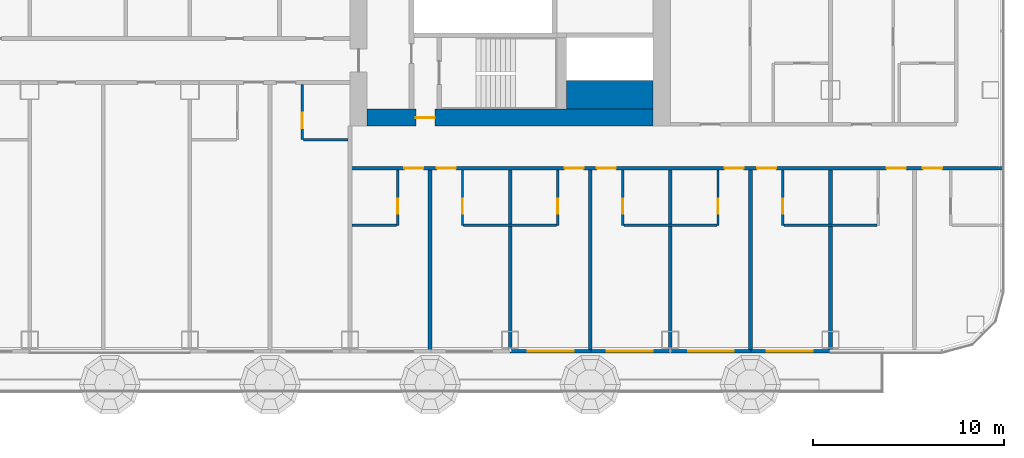
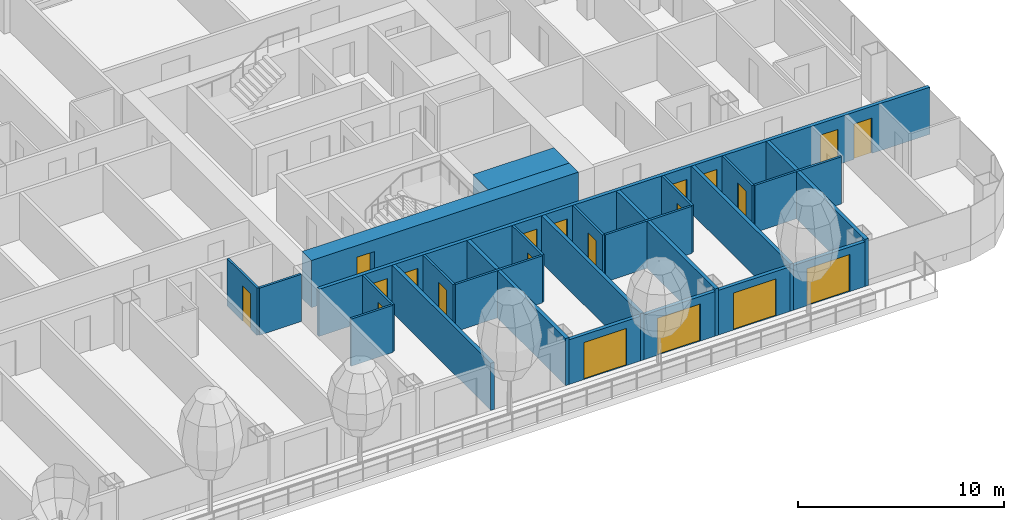
# One storey, part 19 of 37: 25 walls, 20 doors, 20 openings, 1 element without a shape of its own.
"""IFC4 building model written with IfcOpenShell, lengths in metres."""

from ifc_helpers import new_model, si_unit, direction, frame, frame_2d, origin, place, context, subcontext, project, spatial, rectangle, extrude, material, layer, layer_set, type_object, element, fill, aggregate, save


model = new_model("IFC4")

# Units and contexts
model_context = context("Model", 3, precision=1e-05, world=origin(), true_north=direction((0.0, 1.0)))
body_context = subcontext(model_context, "Body", "Model", "MODEL_VIEW")
ifc_project = project(units=[si_unit("LENGTHUNIT", "METRE"), si_unit("AREAUNIT", "SQUARE_METRE"), si_unit("VOLUMEUNIT", "CUBIC_METRE"), si_unit("PLANEANGLEUNIT", "RADIAN"), si_unit("MASSUNIT", "GRAM", prefix="KILO")], contexts=[model_context])

# Site, building, storey
site_placement = place(None, origin())
site = spatial("IfcSite", under=ifc_project, at=site_placement, CompositionType="ELEMENT")
building_placement = place(site_placement, origin())
building = spatial("IfcBuilding", under=site, at=building_placement, Name="Hakoniwa Tower and Hamabe Station Hall", CompositionType="ELEMENT")
storey_placement = place(building_placement, frame((0.0, 0.0, 39.0)))
storey = spatial("IfcBuildingStorey", under=building, at=storey_placement, Name="L10", CompositionType="ELEMENT", Elevation=39.0)

# Walls
ifc_material_1 = material(Name="Gypsum board partition", Category="gypsum")
ifc_layer_1 = layer(ifc_material_1, 0.125)
ifc_layer_set_1 = layer_set([ifc_layer_1], Name="Bathroom Partition 125")
wall_type_1 = type_object("IfcWallType", Name="Bathroom Partition 125", PredefinedType="PARTITIONING", material=ifc_layer_set_1)
wall_1_placement = place(storey_placement, frame((16.89990234375, -13.60009765625, 0.0), z_axis=(0.0, 0.0, 1.0), x_axis=(1.0, 0.0, 0.0)))
element("IfcWall", 1, at=wall_1_placement, inside=storey, type_object=wall_type_1, Name="GW-L10-006", PredefinedType="PARTITIONING", context=body_context, shape_type="SweptSolid", body=[
    extrude(rectangle(XDim=2.337646484375, YDim=0.125, at=frame_2d((1.1689453125, 0.0))), origin(), (0.0, 0.0, 1.0), 2.800048828125),
])
for number, where, z_axis, x_axis, name in (
    (2, (22.762451171875, -13.60009765625, 0.0), (0.0, 0.0, 1.0), (1.0, 0.0, 0.0), "GW-L10-007"),
    (3, (31.16259765625, -13.60009765625, 0.0), (0.0, 0.0, 1.0), (1.0, 0.0, 0.0), "GW-L10-008"),
    (4, (39.5625, -13.60009765625, 0.0), (0.0, 0.0, 1.0), (1.0, 0.0, 0.0), "GW-L10-009"),
):
    element("IfcWall", number, at=place(storey_placement, frame(where, z_axis=z_axis, x_axis=x_axis)), inside=storey, type_object=wall_type_1, Name=name, PredefinedType="PARTITIONING", context=body_context, shape_type="SweptSolid", body=[
        extrude(rectangle(XDim=4.875, YDim=0.125, at=frame_2d((2.4375, 0.0))), origin(), (0.0, 0.0, 1.0), 2.800048828125),
    ])
wall_2_placement = place(storey_placement, frame((14.362548828125, -9.10009765625, 0.0), z_axis=(0.0, 0.0, 1.0), x_axis=(1.0, 0.0, 0.0)))
element("IfcWall", 5, at=wall_2_placement, inside=storey, type_object=wall_type_1, Name="GW-L10-017", PredefinedType="PARTITIONING", context=body_context, shape_type="SweptSolid", body=[
    extrude(rectangle(XDim=2.33740234375, YDim=0.125, at=frame_2d((1.168701171875, 0.0))), origin(), (0.0, 0.0, 1.0), 2.800048828125),
])

# Wall, opening, door
wall_3_placement = place(storey_placement, frame((14.300048828125, -9.10009765625, 0.0), z_axis=(0.0, 0.0, 1.0), x_axis=(0.0, 1.0, 0.0)))
wall_3 = element("IfcWall", 6, at=wall_3_placement, inside=storey, type_object=wall_type_1, Name="GW-L10-109", PredefinedType="PARTITIONING", context=body_context, shape_type="SweptSolid", body=[
    extrude(rectangle(XDim=2.900146484375, YDim=0.125, at=frame_2d((1.4501953125, 0.0))), origin(), (0.0, 0.0, 1.0), 2.800048828125),
])
opening_1_placement = place(wall_3_placement, frame((0.60009765625, 0.0, 0.0)))
opening_1 = element("IfcOpeningElement", 7, at=opening_1_placement, cuts=wall_3, Name="Opening GD-G1B1-88", PredefinedType="OPENING", context=body_context, shape_type="SweptSolid", body=[
    extrude(rectangle(XDim=0.800048828125, YDim=2.10009765625, at=frame_2d((0.39990234375, 1.050048828125))), frame((0.0, 0.072509765625, 0.0), z_axis=(0.0, -1.0, 0.0), x_axis=(1.0, 0.0, 0.0)), (0.0, 0.0, 1.0), 0.14501953125),
])
ifc_material_2 = material(Name="Timber door leaf", Category="wood")
door_type_1 = type_object("IfcDoorType", Name="Bathroom Door 800", OperationType="SINGLE_SWING_LEFT", PredefinedType="DOOR", material=ifc_material_2)
door_1_placement = place(opening_1_placement, origin())
door_1 = element("IfcDoor", 8, at=door_1_placement, inside=storey, type_object=door_type_1, Name="Door GD-G1B1-88", OperationType="SINGLE_SWING_LEFT", OverallHeight=2.10009765625, OverallWidth=0.800048828125, PredefinedType="DOOR", context=body_context, shape_type="SweptSolid", body=[
    extrude(rectangle(XDim=0.800048828125, YDim=2.10009765625, at=frame_2d((0.39990234375, 1.050048828125))), frame((0.0, 0.02490234375, 0.0), z_axis=(0.0, -1.0, 0.0), x_axis=(1.0, 0.0, 0.0)), (0.0, 0.0, 1.0), 0.050048828125),
])
fill(opening_1, door_1)

wall_4_placement = place(storey_placement, frame((19.300048828125, -13.60009765625, 0.0), z_axis=(0.0, 0.0, 1.0), x_axis=(0.0, 1.0, 0.0)))
wall_4 = element("IfcWall", 9, at=wall_4_placement, inside=storey, type_object=wall_type_1, Name="GW-L10-113", PredefinedType="PARTITIONING", context=body_context, shape_type="SweptSolid", body=[
    extrude(rectangle(XDim=2.900146484375, YDim=0.125, at=frame_2d((1.4501953125, 0.0))), origin(), (0.0, 0.0, 1.0), 2.800048828125),
])
opening_2_placement = place(wall_4_placement, frame((0.60009765625, 0.0, 0.0)))
opening_2 = element("IfcOpeningElement", 10, at=opening_2_placement, cuts=wall_4, Name="Opening GD-G1B1-90", PredefinedType="OPENING", context=body_context, shape_type="SweptSolid", body=[
    extrude(rectangle(XDim=0.800048828125, YDim=2.10009765625, at=frame_2d((0.39990234375, 1.050048828125))), frame((0.0, 0.072509765625, 0.0), z_axis=(0.0, -1.0, 0.0), x_axis=(1.0, 0.0, 0.0)), (0.0, 0.0, 1.0), 0.14501953125),
])
door_2_placement = place(opening_2_placement, origin())
door_2 = element("IfcDoor", 11, at=door_2_placement, inside=storey, type_object=door_type_1, Name="Door GD-G1B1-90", OperationType="SINGLE_SWING_RIGHT", OverallHeight=2.10009765625, OverallWidth=0.800048828125, PredefinedType="DOOR", context=body_context, shape_type="SweptSolid", body=[
    extrude(rectangle(XDim=0.800048828125, YDim=2.10009765625, at=frame_2d((0.39990234375, 1.050048828125))), frame((0.0, 0.02490234375, 0.0), z_axis=(0.0, -1.0, 0.0), x_axis=(1.0, 0.0, 0.0)), (0.0, 0.0, 1.0), 0.050048828125),
])
fill(opening_2, door_2)

wall_5_placement = place(storey_placement, frame((22.699951171875, -13.60009765625, 0.0), z_axis=(0.0, 0.0, 1.0), x_axis=(0.0, 1.0, 0.0)))
wall_5 = element("IfcWall", 12, at=wall_5_placement, inside=storey, type_object=wall_type_1, Name="GW-L10-115", PredefinedType="PARTITIONING", context=body_context, shape_type="SweptSolid", body=[
    extrude(rectangle(XDim=2.900146484375, YDim=0.125, at=frame_2d((1.4501953125, 0.0))), origin(), (0.0, 0.0, 1.0), 2.800048828125),
])
opening_3_placement = place(wall_5_placement, frame((0.60009765625, 0.0, 0.0)))
opening_3 = element("IfcOpeningElement", 13, at=opening_3_placement, cuts=wall_5, Name="Opening GD-G1B1-91", PredefinedType="OPENING", context=body_context, shape_type="SweptSolid", body=[
    extrude(rectangle(XDim=0.800048828125, YDim=2.10009765625, at=frame_2d((0.39990234375, 1.050048828125))), frame((0.0, 0.072509765625, 0.0), z_axis=(0.0, -1.0, 0.0), x_axis=(1.0, 0.0, 0.0)), (0.0, 0.0, 1.0), 0.14501953125),
])
door_3_placement = place(opening_3_placement, origin())
door_3 = element("IfcDoor", 14, at=door_3_placement, inside=storey, type_object=door_type_1, Name="Door GD-G1B1-91", OperationType="SINGLE_SWING_LEFT", OverallHeight=2.10009765625, OverallWidth=0.800048828125, PredefinedType="DOOR", context=body_context, shape_type="SweptSolid", body=[
    extrude(rectangle(XDim=0.800048828125, YDim=2.10009765625, at=frame_2d((0.39990234375, 1.050048828125))), frame((0.0, 0.02490234375, 0.0), z_axis=(0.0, -1.0, 0.0), x_axis=(1.0, 0.0, 0.0)), (0.0, 0.0, 1.0), 0.050048828125),
])
fill(opening_3, door_3)

wall_6_placement = place(storey_placement, frame((27.699951171875, -13.60009765625, 0.0), z_axis=(0.0, 0.0, 1.0), x_axis=(0.0, 1.0, 0.0)))
wall_6 = element("IfcWall", 15, at=wall_6_placement, inside=storey, type_object=wall_type_1, Name="GW-L10-118", PredefinedType="PARTITIONING", context=body_context, shape_type="SweptSolid", body=[
    extrude(rectangle(XDim=2.900146484375, YDim=0.125, at=frame_2d((1.4501953125, 0.0))), origin(), (0.0, 0.0, 1.0), 2.800048828125),
])
opening_4_placement = place(wall_6_placement, frame((0.60009765625, 0.0, 0.0)))
opening_4 = element("IfcOpeningElement", 16, at=opening_4_placement, cuts=wall_6, Name="Opening GD-G1B1-92", PredefinedType="OPENING", context=body_context, shape_type="SweptSolid", body=[
    extrude(rectangle(XDim=0.800048828125, YDim=2.10009765625, at=frame_2d((0.39990234375, 1.050048828125))), frame((0.0, 0.072509765625, 0.0), z_axis=(0.0, -1.0, 0.0), x_axis=(1.0, 0.0, 0.0)), (0.0, 0.0, 1.0), 0.14501953125),
])
door_4_placement = place(opening_4_placement, origin())
door_4 = element("IfcDoor", 17, at=door_4_placement, inside=storey, type_object=door_type_1, Name="Door GD-G1B1-92", OperationType="SINGLE_SWING_RIGHT", OverallHeight=2.10009765625, OverallWidth=0.800048828125, PredefinedType="DOOR", context=body_context, shape_type="SweptSolid", body=[
    extrude(rectangle(XDim=0.800048828125, YDim=2.10009765625, at=frame_2d((0.39990234375, 1.050048828125))), frame((0.0, 0.02490234375, 0.0), z_axis=(0.0, -1.0, 0.0), x_axis=(1.0, 0.0, 0.0)), (0.0, 0.0, 1.0), 0.050048828125),
])
fill(opening_4, door_4)

wall_7_placement = place(storey_placement, frame((31.10009765625, -13.60009765625, 0.0), z_axis=(0.0, 0.0, 1.0), x_axis=(0.0, 1.0, 0.0)))
wall_7 = element("IfcWall", 18, at=wall_7_placement, inside=storey, type_object=wall_type_1, Name="GW-L10-120", PredefinedType="PARTITIONING", context=body_context, shape_type="SweptSolid", body=[
    extrude(rectangle(XDim=2.900146484375, YDim=0.125, at=frame_2d((1.4501953125, 0.0))), origin(), (0.0, 0.0, 1.0), 2.800048828125),
])
opening_5_placement = place(wall_7_placement, frame((0.60009765625, 0.0, 0.0)))
opening_5 = element("IfcOpeningElement", 19, at=opening_5_placement, cuts=wall_7, Name="Opening GD-G1B1-93", PredefinedType="OPENING", context=body_context, shape_type="SweptSolid", body=[
    extrude(rectangle(XDim=0.800048828125, YDim=2.10009765625, at=frame_2d((0.39990234375, 1.050048828125))), frame((0.0, 0.072509765625, 0.0), z_axis=(0.0, -1.0, 0.0), x_axis=(1.0, 0.0, 0.0)), (0.0, 0.0, 1.0), 0.14501953125),
])
door_5_placement = place(opening_5_placement, origin())
door_5 = element("IfcDoor", 20, at=door_5_placement, inside=storey, type_object=door_type_1, Name="Door GD-G1B1-93", OperationType="SINGLE_SWING_LEFT", OverallHeight=2.10009765625, OverallWidth=0.800048828125, PredefinedType="DOOR", context=body_context, shape_type="SweptSolid", body=[
    extrude(rectangle(XDim=0.800048828125, YDim=2.10009765625, at=frame_2d((0.39990234375, 1.050048828125))), frame((0.0, 0.02490234375, 0.0), z_axis=(0.0, -1.0, 0.0), x_axis=(1.0, 0.0, 0.0)), (0.0, 0.0, 1.0), 0.050048828125),
])
fill(opening_5, door_5)

wall_8_placement = place(storey_placement, frame((36.10009765625, -13.60009765625, 0.0), z_axis=(0.0, 0.0, 1.0), x_axis=(0.0, 1.0, 0.0)))
wall_8 = element("IfcWall", 21, at=wall_8_placement, inside=storey, type_object=wall_type_1, Name="GW-L10-123", PredefinedType="PARTITIONING", context=body_context, shape_type="SweptSolid", body=[
    extrude(rectangle(XDim=2.900146484375, YDim=0.125, at=frame_2d((1.4501953125, 0.0))), origin(), (0.0, 0.0, 1.0), 2.800048828125),
])
opening_6_placement = place(wall_8_placement, frame((0.60009765625, 0.0, 0.0)))
opening_6 = element("IfcOpeningElement", 22, at=opening_6_placement, cuts=wall_8, Name="Opening GD-G1B1-94", PredefinedType="OPENING", context=body_context, shape_type="SweptSolid", body=[
    extrude(rectangle(XDim=0.800048828125, YDim=2.10009765625, at=frame_2d((0.39990234375, 1.050048828125))), frame((0.0, 0.072509765625, 0.0), z_axis=(0.0, -1.0, 0.0), x_axis=(1.0, 0.0, 0.0)), (0.0, 0.0, 1.0), 0.14501953125),
])
door_6_placement = place(opening_6_placement, origin())
door_6 = element("IfcDoor", 23, at=door_6_placement, inside=storey, type_object=door_type_1, Name="Door GD-G1B1-94", OperationType="SINGLE_SWING_RIGHT", OverallHeight=2.10009765625, OverallWidth=0.800048828125, PredefinedType="DOOR", context=body_context, shape_type="SweptSolid", body=[
    extrude(rectangle(XDim=0.800048828125, YDim=2.10009765625, at=frame_2d((0.39990234375, 1.050048828125))), frame((0.0, 0.02490234375, 0.0), z_axis=(0.0, -1.0, 0.0), x_axis=(1.0, 0.0, 0.0)), (0.0, 0.0, 1.0), 0.050048828125),
])
fill(opening_6, door_6)

wall_9_placement = place(storey_placement, frame((39.5, -13.60009765625, 0.0), z_axis=(0.0, 0.0, 1.0), x_axis=(0.0, 1.0, 0.0)))
wall_9 = element("IfcWall", 24, at=wall_9_placement, inside=storey, type_object=wall_type_1, Name="GW-L10-128", PredefinedType="PARTITIONING", context=body_context, shape_type="SweptSolid", body=[
    extrude(rectangle(XDim=2.900146484375, YDim=0.125, at=frame_2d((1.4501953125, 0.0))), origin(), (0.0, 0.0, 1.0), 2.800048828125),
])
opening_7_placement = place(wall_9_placement, frame((0.60009765625, 0.0, 0.0)))
opening_7 = element("IfcOpeningElement", 25, at=opening_7_placement, cuts=wall_9, Name="Opening GD-G1B1-97", PredefinedType="OPENING", context=body_context, shape_type="SweptSolid", body=[
    extrude(rectangle(XDim=0.800048828125, YDim=2.10009765625, at=frame_2d((0.39990234375, 1.050048828125))), frame((0.0, 0.072509765625, 0.0), z_axis=(0.0, -1.0, 0.0), x_axis=(1.0, 0.0, 0.0)), (0.0, 0.0, 1.0), 0.14501953125),
])
door_7_placement = place(opening_7_placement, origin())
door_7 = element("IfcDoor", 26, at=door_7_placement, inside=storey, type_object=door_type_1, Name="Door GD-G1B1-97", OperationType="SINGLE_SWING_LEFT", OverallHeight=2.10009765625, OverallWidth=0.800048828125, PredefinedType="DOOR", context=body_context, shape_type="SweptSolid", body=[
    extrude(rectangle(XDim=0.800048828125, YDim=2.10009765625, at=frame_2d((0.39990234375, 1.050048828125))), frame((0.0, 0.02490234375, 0.0), z_axis=(0.0, -1.0, 0.0), x_axis=(1.0, 0.0, 0.0)), (0.0, 0.0, 1.0), 0.050048828125),
])
fill(opening_7, door_7)

ifc_material_3 = material(Name="Concrete C80", Category="concrete")
ifc_layer_2 = layer(ifc_material_3, 0.89990234375)
ifc_layer_set_2 = layer_set([ifc_layer_2], Name="CORE WALL 900 C80")
wall_type_2 = type_object("IfcWallType", Name="CORE WALL 900 C80", PredefinedType="SHEAR", material=ifc_layer_set_2)
wall_10_placement = place(storey_placement, frame((17.699951171875, -7.949951171875, 0.0), z_axis=(0.0, 0.0, 1.0), x_axis=(1.0, 0.0, 0.0)))
wall_10 = element("IfcWall", 27, at=wall_10_placement, inside=storey, type_object=wall_type_2, Name="Core wall SOUTH east", PredefinedType="SHEAR", context=body_context, shape_type="SweptSolid", body=[
    extrude(rectangle(XDim=15.0, YDim=0.89990234375, at=frame_2d((7.5, 0.0))), origin(), (0.0, 0.0, 1.0), 2.800048828125),
])
opening_8_placement = place(wall_10_placement, frame((2.550048828125, 0.0, 0.0)))
opening_8 = element("IfcOpeningElement", 28, at=opening_8_placement, cuts=wall_10, Name="Opening CD-E-FS3-10", PredefinedType="OPENING", context=body_context, shape_type="SweptSolid", body=[
    extrude(rectangle(XDim=1.0, YDim=2.10009765625, at=frame_2d((0.5, 1.050048828125))), frame((0.0, 0.4599609375, 0.0), z_axis=(0.0, -1.0, 0.0), x_axis=(1.0, 0.0, 0.0)), (0.0, 0.0, 1.0), 0.919921875),
])
ifc_material_4 = material(Name="Steel fire door", Category="steel")
door_type_2 = type_object("IfcDoorType", Name="CORE DOOR 1000 FD60", OperationType="NOTDEFINED", PredefinedType="DOOR", material=ifc_material_4)
door_8_placement = place(opening_8_placement, origin())
door_8 = element("IfcDoor", 29, at=door_8_placement, inside=storey, type_object=door_type_2, Name="Stair vestibule door", OperationType="SINGLE_SWING_RIGHT", OverallHeight=2.10009765625, OverallWidth=1.0, PredefinedType="DOOR", context=body_context, shape_type="SweptSolid", body=[
    extrude(rectangle(XDim=1.0, YDim=2.10009765625, at=frame_2d((0.5, 1.050048828125))), frame((0.0, 0.02490234375, 0.0), z_axis=(0.0, -1.0, 0.0), x_axis=(1.0, 0.0, 0.0)), (0.0, 0.0, 1.0), 0.050048828125),
])
fill(opening_8, door_8)

# Wall
ifc_material_5 = material(Name="Concrete C80", Category="concrete")
ifc_layer_3 = layer(ifc_material_5, 1.5)
ifc_layer_set_3 = layer_set([ifc_layer_3], Name="CORE WEB WALL 1500 C80")
wall_type_3 = type_object("IfcWallType", Name="CORE WEB WALL 1500 C80", PredefinedType="SHEAR", material=ifc_layer_set_3)
wall_11_placement = place(storey_placement, frame((28.14990234375, -6.75, 0.0), z_axis=(0.0, 0.0, 1.0), x_axis=(1.0, 0.0, 0.0)))
element("IfcWall", 30, at=wall_11_placement, inside=storey, type_object=wall_type_3, Name="Core wall SER east", PredefinedType="SHEAR", context=body_context, shape_type="SweptSolid", body=[
    extrude(rectangle(XDim=4.550048828125, YDim=1.5, at=frame_2d((2.27490234375, 0.0))), origin(), (0.0, 0.0, 1.0), 2.800048828125),
])

# Wall, openings, doors
ifc_material_6 = material(Name="Fire-rated gypsum board partition", Category="gypsum")
ifc_layer_4 = layer(ifc_material_6, 0.199951171875)
ifc_layer_set_4 = layer_set([ifc_layer_4], Name="Corridor Wall 200")
wall_type_4 = type_object("IfcWallType", Name="Corridor Wall 200", PredefinedType="PARTITIONING", material=ifc_layer_set_4)
wall_12_placement = place(storey_placement, frame((16.800048828125, -10.60009765625, 0.0), z_axis=(0.0, 0.0, 1.0), x_axis=(1.0, 0.0, 0.0)))
wall_12 = element("IfcWall", 31, at=wall_12_placement, inside=storey, type_object=wall_type_4, Name="GW-L10-012", PredefinedType="PARTITIONING", context=body_context, shape_type="SweptSolid", body=[
    extrude(rectangle(XDim=34.300048828125, YDim=0.199951171875, at=frame_2d((17.14990234375, 0.0))), origin(), (0.0, 0.0, 1.0), 2.800048828125),
])
opening_9_placement = place(wall_12_placement, frame((2.85009765625, 0.0, 0.0)))
opening_9 = element("IfcOpeningElement", 32, at=opening_9_placement, cuts=wall_12, Name="Opening GD-G1B1-09", PredefinedType="OPENING", context=body_context, shape_type="SweptSolid", body=[
    extrude(rectangle(XDim=1.0, YDim=2.10009765625, at=frame_2d((0.5, 1.050048828125))), frame((0.0, 0.10986328125, 0.0), z_axis=(0.0, -1.0, 0.0), x_axis=(1.0, 0.0, 0.0)), (0.0, 0.0, 1.0), 0.219970703125),
])
opening_10_placement = place(wall_12_placement, frame((4.550048828125, 0.0, 0.0)))
opening_10 = element("IfcOpeningElement", 33, at=opening_10_placement, cuts=wall_12, Name="Opening GD-G1B1-10", PredefinedType="OPENING", context=body_context, shape_type="SweptSolid", body=[
    extrude(rectangle(XDim=1.0, YDim=2.10009765625, at=frame_2d((0.5, 1.050048828125))), frame((0.0, 0.10986328125, 0.0), z_axis=(0.0, -1.0, 0.0), x_axis=(1.0, 0.0, 0.0)), (0.0, 0.0, 1.0), 0.219970703125),
])
opening_11_placement = place(wall_12_placement, frame((11.25, 0.0, 0.0)))
opening_11 = element("IfcOpeningElement", 34, at=opening_11_placement, cuts=wall_12, Name="Opening GD-G1B1-11", PredefinedType="OPENING", context=body_context, shape_type="SweptSolid", body=[
    extrude(rectangle(XDim=1.0, YDim=2.10009765625, at=frame_2d((0.5, 1.050048828125))), frame((0.0, 0.10986328125, 0.0), z_axis=(0.0, -1.0, 0.0), x_axis=(1.0, 0.0, 0.0)), (0.0, 0.0, 1.0), 0.219970703125),
])
opening_12_placement = place(wall_12_placement, frame((12.949951171875, 0.0, 0.0)))
opening_12 = element("IfcOpeningElement", 35, at=opening_12_placement, cuts=wall_12, Name="Opening GD-G1B1-12", PredefinedType="OPENING", context=body_context, shape_type="SweptSolid", body=[
    extrude(rectangle(XDim=1.0, YDim=2.10009765625, at=frame_2d((0.5, 1.050048828125))), frame((0.0, 0.10986328125, 0.0), z_axis=(0.0, -1.0, 0.0), x_axis=(1.0, 0.0, 0.0)), (0.0, 0.0, 1.0), 0.219970703125),
])
opening_13_placement = place(wall_12_placement, frame((19.64990234375, 0.0, 0.0)))
opening_13 = element("IfcOpeningElement", 36, at=opening_13_placement, cuts=wall_12, Name="Opening GD-G1B1-13", PredefinedType="OPENING", context=body_context, shape_type="SweptSolid", body=[
    extrude(rectangle(XDim=1.0, YDim=2.10009765625, at=frame_2d((0.5, 1.050048828125))), frame((0.0, 0.10986328125, 0.0), z_axis=(0.0, -1.0, 0.0), x_axis=(1.0, 0.0, 0.0)), (0.0, 0.0, 1.0), 0.219970703125),
])
opening_14_placement = place(wall_12_placement, frame((21.35009765625, 0.0, 0.0)))
opening_14 = element("IfcOpeningElement", 37, at=opening_14_placement, cuts=wall_12, Name="Opening GD-G1B1-14", PredefinedType="OPENING", context=body_context, shape_type="SweptSolid", body=[
    extrude(rectangle(XDim=1.0, YDim=2.10009765625, at=frame_2d((0.5, 1.050048828125))), frame((0.0, 0.10986328125, 0.0), z_axis=(0.0, -1.0, 0.0), x_axis=(1.0, 0.0, 0.0)), (0.0, 0.0, 1.0), 0.219970703125),
])
opening_15_placement = place(wall_12_placement, frame((28.14990234375, 0.0, 0.0)))
opening_15 = element("IfcOpeningElement", 38, at=opening_15_placement, cuts=wall_12, Name="Opening GD-G1B1-15", PredefinedType="OPENING", context=body_context, shape_type="SweptSolid", body=[
    extrude(rectangle(XDim=1.0, YDim=2.10009765625, at=frame_2d((0.5, 1.050048828125))), frame((0.0, 0.10986328125, 0.0), z_axis=(0.0, -1.0, 0.0), x_axis=(1.0, 0.0, 0.0)), (0.0, 0.0, 1.0), 0.219970703125),
])
opening_16_placement = place(wall_12_placement, frame((30.050048828125, 0.0, 0.0)))
opening_16 = element("IfcOpeningElement", 39, at=opening_16_placement, cuts=wall_12, Name="Opening GD-G1B1-16", PredefinedType="OPENING", context=body_context, shape_type="SweptSolid", body=[
    extrude(rectangle(XDim=1.0, YDim=2.10009765625, at=frame_2d((0.5, 1.050048828125))), frame((0.0, 0.10986328125, 0.0), z_axis=(0.0, -1.0, 0.0), x_axis=(1.0, 0.0, 0.0)), (0.0, 0.0, 1.0), 0.219970703125),
])
ifc_material_7 = material(Name="Timber door leaf", Category="wood")
door_type_3 = type_object("IfcDoorType", Name="Guest Entrance Door 1000", OperationType="SINGLE_SWING_LEFT", PredefinedType="DOOR", material=ifc_material_7)
door_9_placement = place(opening_9_placement, origin())
door_9 = element("IfcDoor", 40, at=door_9_placement, inside=storey, type_object=door_type_3, Name="Door GD-G1B1-09", OperationType="SINGLE_SWING_RIGHT", OverallHeight=2.10009765625, OverallWidth=1.0, PredefinedType="DOOR", context=body_context, shape_type="SweptSolid", body=[
    extrude(rectangle(XDim=1.0, YDim=2.10009765625, at=frame_2d((0.5, 1.050048828125))), frame((0.0, 0.02490234375, 0.0), z_axis=(0.0, -1.0, 0.0), x_axis=(1.0, 0.0, 0.0)), (0.0, 0.0, 1.0), 0.050048828125),
])
fill(opening_9, door_9)
door_10_placement = place(opening_10_placement, origin())
door_10 = element("IfcDoor", 41, at=door_10_placement, inside=storey, type_object=door_type_3, Name="Door GD-G1B1-10", OperationType="SINGLE_SWING_RIGHT", OverallHeight=2.10009765625, OverallWidth=1.0, PredefinedType="DOOR", context=body_context, shape_type="SweptSolid", body=[
    extrude(rectangle(XDim=1.0, YDim=2.10009765625, at=frame_2d((0.5, 1.050048828125))), frame((0.0, 0.02490234375, 0.0), z_axis=(0.0, -1.0, 0.0), x_axis=(1.0, 0.0, 0.0)), (0.0, 0.0, 1.0), 0.050048828125),
])
fill(opening_10, door_10)
door_11_placement = place(opening_11_placement, origin())
door_11 = element("IfcDoor", 42, at=door_11_placement, inside=storey, type_object=door_type_3, Name="Door GD-G1B1-11", OperationType="SINGLE_SWING_LEFT", OverallHeight=2.10009765625, OverallWidth=1.0, PredefinedType="DOOR", context=body_context, shape_type="SweptSolid", body=[
    extrude(rectangle(XDim=1.0, YDim=2.10009765625, at=frame_2d((0.5, 1.050048828125))), frame((0.0, 0.02490234375, 0.0), z_axis=(0.0, -1.0, 0.0), x_axis=(1.0, 0.0, 0.0)), (0.0, 0.0, 1.0), 0.050048828125),
])
fill(opening_11, door_11)
door_12_placement = place(opening_12_placement, origin())
door_12 = element("IfcDoor", 43, at=door_12_placement, inside=storey, type_object=door_type_3, Name="Door GD-G1B1-12", OperationType="SINGLE_SWING_RIGHT", OverallHeight=2.10009765625, OverallWidth=1.0, PredefinedType="DOOR", context=body_context, shape_type="SweptSolid", body=[
    extrude(rectangle(XDim=1.0, YDim=2.10009765625, at=frame_2d((0.5, 1.050048828125))), frame((0.0, 0.02490234375, 0.0), z_axis=(0.0, -1.0, 0.0), x_axis=(1.0, 0.0, 0.0)), (0.0, 0.0, 1.0), 0.050048828125),
])
fill(opening_12, door_12)
door_13_placement = place(opening_13_placement, origin())
door_13 = element("IfcDoor", 44, at=door_13_placement, inside=storey, type_object=door_type_3, Name="Door GD-G1B1-13", OperationType="SINGLE_SWING_LEFT", OverallHeight=2.10009765625, OverallWidth=1.0, PredefinedType="DOOR", context=body_context, shape_type="SweptSolid", body=[
    extrude(rectangle(XDim=1.0, YDim=2.10009765625, at=frame_2d((0.5, 1.050048828125))), frame((0.0, 0.02490234375, 0.0), z_axis=(0.0, -1.0, 0.0), x_axis=(1.0, 0.0, 0.0)), (0.0, 0.0, 1.0), 0.050048828125),
])
fill(opening_13, door_13)
door_14_placement = place(opening_14_placement, origin())
door_14 = element("IfcDoor", 45, at=door_14_placement, inside=storey, type_object=door_type_3, Name="Door GD-G1B1-14", OperationType="SINGLE_SWING_RIGHT", OverallHeight=2.10009765625, OverallWidth=1.0, PredefinedType="DOOR", context=body_context, shape_type="SweptSolid", body=[
    extrude(rectangle(XDim=1.0, YDim=2.10009765625, at=frame_2d((0.5, 1.050048828125))), frame((0.0, 0.02490234375, 0.0), z_axis=(0.0, -1.0, 0.0), x_axis=(1.0, 0.0, 0.0)), (0.0, 0.0, 1.0), 0.050048828125),
])
fill(opening_14, door_14)
door_15_placement = place(opening_15_placement, origin())
door_15 = element("IfcDoor", 46, at=door_15_placement, inside=storey, type_object=door_type_3, Name="Door GD-G1B1-15", OperationType="SINGLE_SWING_LEFT", OverallHeight=2.10009765625, OverallWidth=1.0, PredefinedType="DOOR", context=body_context, shape_type="SweptSolid", body=[
    extrude(rectangle(XDim=1.0, YDim=2.10009765625, at=frame_2d((0.5, 1.050048828125))), frame((0.0, 0.02490234375, 0.0), z_axis=(0.0, -1.0, 0.0), x_axis=(1.0, 0.0, 0.0)), (0.0, 0.0, 1.0), 0.050048828125),
])
fill(opening_15, door_15)
door_16_placement = place(opening_16_placement, origin())
door_16 = element("IfcDoor", 47, at=door_16_placement, inside=storey, type_object=door_type_3, Name="Door GD-G1B1-16", OperationType="SINGLE_SWING_RIGHT", OverallHeight=2.10009765625, OverallWidth=1.0, PredefinedType="DOOR", context=body_context, shape_type="SweptSolid", body=[
    extrude(rectangle(XDim=1.0, YDim=2.10009765625, at=frame_2d((0.5, 1.050048828125))), frame((0.0, 0.02490234375, 0.0), z_axis=(0.0, -1.0, 0.0), x_axis=(1.0, 0.0, 0.0)), (0.0, 0.0, 1.0), 0.050048828125),
])
fill(opening_16, door_16)

# Curtain wall, walls, openings, doors
ifc_material_8 = material(Name="Dark low-e laminated glass", Category="glass")
ifc_layer_5 = layer(ifc_material_8, 0.199951171875)
ifc_layer_set_5 = layer_set([ifc_layer_5], Name="CW-1 UNITISED GUEST")
curtain_wall_type = type_object("IfcCurtainWallType", Name="CW-1 UNITISED GUEST", PredefinedType="NOTDEFINED", material=ifc_layer_set_5)
curtain_wall_placement = place(storey_placement, origin())
curtain_wall = element("IfcCurtainWall", 48, at=curtain_wall_placement, inside=storey, type_object=curtain_wall_type, Name="CW-1 curtain wall", PredefinedType="NOTDEFINED")
ifc_material_9 = material(Name="Dark glass-faced aluminium panel", Category="aluminium")
ifc_layer_6 = layer(ifc_material_9, 0.199951171875)
ifc_layer_set_6 = layer_set([ifc_layer_6], Name="DOOR BAY WALL")
wall_type_5 = type_object("IfcWallType", Name="DOOR BAY WALL", PredefinedType="NOTDEFINED", material=ifc_layer_set_6)
wall_13_placement = place(storey_placement, frame((25.219970703125, -20.199951171875, 0.0), z_axis=(0.0, 0.0, 1.0), x_axis=(1.0, 0.0, 0.0)))
wall_13 = element("IfcWall", 49, at=wall_13_placement, type_object=wall_type_5, Name="Door bay wall", PredefinedType="NOTDEFINED", context=body_context, shape_type="SweptSolid", body=[
    extrude(rectangle(XDim=4.219970703125, YDim=0.199951171875, at=frame_2d((2.10986328125, 0.0))), origin(), (0.0, 0.0, 1.0), 2.64990234375),
])
opening_17_placement = place(wall_13_placement, frame((0.909912109375, 0.0, 0.0)))
opening_17 = element("IfcOpeningElement", 50, at=opening_17_placement, cuts=wall_13, Name="Opening BD-S07-15", PredefinedType="OPENING", context=body_context, shape_type="SweptSolid", body=[
    extrude(rectangle(XDim=2.39990234375, YDim=2.199951171875, at=frame_2d((1.199951171875, 1.10009765625))), frame((0.0, 0.10986328125, 0.0), z_axis=(0.0, -1.0, 0.0), x_axis=(1.0, 0.0, 0.0)), (0.0, 0.0, 1.0), 0.219970703125),
])
ifc_material_10 = material(Name="Dark low-e laminated glass", Category="glass")
door_type_4 = type_object("IfcDoorType", Name="BALCONY SLIDING DOOR 2400X2200", OperationType="SLIDING_TO_LEFT", PredefinedType="DOOR", material=ifc_material_10)
door_17_placement = place(opening_17_placement, frame((2.39990234375, 0.0, 0.0), z_axis=(0.0, 0.0, 1.0), x_axis=(-1.0, 0.0, 0.0)))
door_17 = element("IfcDoor", 51, at=door_17_placement, inside=storey, type_object=door_type_4, Name="Balcony sliding door", OperationType="SLIDING_TO_LEFT", OverallHeight=2.199951171875, OverallWidth=2.39990234375, PredefinedType="DOOR", context=body_context, shape_type="SweptSolid", body=[
    extrude(rectangle(XDim=2.39990234375, YDim=2.199951171875, at=frame_2d((1.199951171875, 1.10009765625))), frame((0.0, 0.02490234375, 0.0), z_axis=(0.0, -1.0, 0.0), x_axis=(1.0, 0.0, 0.0)), (0.0, 0.0, 1.0), 0.050048828125),
])
fill(opening_17, door_17)
wall_14_placement = place(storey_placement, frame((29.360107421875, -20.199951171875, 0.0), z_axis=(0.0, 0.0, 1.0), x_axis=(1.0, 0.0, 0.0)))
wall_14 = element("IfcWall", 52, at=wall_14_placement, type_object=wall_type_5, Name="Door bay wall", PredefinedType="NOTDEFINED", context=body_context, shape_type="SweptSolid", body=[
    extrude(rectangle(XDim=4.219970703125, YDim=0.199951171875, at=frame_2d((2.10986328125, 0.0))), origin(), (0.0, 0.0, 1.0), 2.64990234375),
])
opening_18_placement = place(wall_14_placement, frame((0.909912109375, 0.0, 0.0)))
opening_18 = element("IfcOpeningElement", 53, at=opening_18_placement, cuts=wall_14, Name="Opening BD-S07-16", PredefinedType="OPENING", context=body_context, shape_type="SweptSolid", body=[
    extrude(rectangle(XDim=2.39990234375, YDim=2.199951171875, at=frame_2d((1.199951171875, 1.10009765625))), frame((0.0, 0.10986328125, 0.0), z_axis=(0.0, -1.0, 0.0), x_axis=(1.0, 0.0, 0.0)), (0.0, 0.0, 1.0), 0.219970703125),
])
door_18_placement = place(opening_18_placement, frame((2.39990234375, 0.0, 0.0), z_axis=(0.0, 0.0, 1.0), x_axis=(-1.0, 0.0, 0.0)))
door_18 = element("IfcDoor", 54, at=door_18_placement, inside=storey, type_object=door_type_4, Name="Balcony sliding door", OperationType="SLIDING_TO_LEFT", OverallHeight=2.199951171875, OverallWidth=2.39990234375, PredefinedType="DOOR", context=body_context, shape_type="SweptSolid", body=[
    extrude(rectangle(XDim=2.39990234375, YDim=2.199951171875, at=frame_2d((1.199951171875, 1.10009765625))), frame((0.0, 0.02490234375, 0.0), z_axis=(0.0, -1.0, 0.0), x_axis=(1.0, 0.0, 0.0)), (0.0, 0.0, 1.0), 0.050048828125),
])
fill(opening_18, door_18)
wall_15_placement = place(storey_placement, frame((33.6201171875, -20.199951171875, 0.0), z_axis=(0.0, 0.0, 1.0), x_axis=(1.0, 0.0, 0.0)))
wall_15 = element("IfcWall", 55, at=wall_15_placement, type_object=wall_type_5, Name="Door bay wall", PredefinedType="NOTDEFINED", context=body_context, shape_type="SweptSolid", body=[
    extrude(rectangle(XDim=4.219970703125, YDim=0.199951171875, at=frame_2d((2.10986328125, 0.0))), origin(), (0.0, 0.0, 1.0), 2.64990234375),
])
opening_19_placement = place(wall_15_placement, frame((0.909912109375, 0.0, 0.0)))
opening_19 = element("IfcOpeningElement", 56, at=opening_19_placement, cuts=wall_15, Name="Opening BD-S07-17", PredefinedType="OPENING", context=body_context, shape_type="SweptSolid", body=[
    extrude(rectangle(XDim=2.39990234375, YDim=2.199951171875, at=frame_2d((1.199951171875, 1.10009765625))), frame((0.0, 0.10986328125, 0.0), z_axis=(0.0, -1.0, 0.0), x_axis=(1.0, 0.0, 0.0)), (0.0, 0.0, 1.0), 0.219970703125),
])
door_19_placement = place(opening_19_placement, frame((2.39990234375, 0.0, 0.0), z_axis=(0.0, 0.0, 1.0), x_axis=(-1.0, 0.0, 0.0)))
door_19 = element("IfcDoor", 57, at=door_19_placement, inside=storey, type_object=door_type_4, Name="Balcony sliding door", OperationType="SLIDING_TO_LEFT", OverallHeight=2.199951171875, OverallWidth=2.39990234375, PredefinedType="DOOR", context=body_context, shape_type="SweptSolid", body=[
    extrude(rectangle(XDim=2.39990234375, YDim=2.199951171875, at=frame_2d((1.199951171875, 1.10009765625))), frame((0.0, 0.02490234375, 0.0), z_axis=(0.0, -1.0, 0.0), x_axis=(1.0, 0.0, 0.0)), (0.0, 0.0, 1.0), 0.050048828125),
])
fill(opening_19, door_19)
wall_16_placement = place(storey_placement, frame((37.760009765625, -20.199951171875, 0.0), z_axis=(0.0, 0.0, 1.0), x_axis=(1.0, 0.0, 0.0)))
wall_16 = element("IfcWall", 58, at=wall_16_placement, type_object=wall_type_5, Name="Door bay wall", PredefinedType="NOTDEFINED", context=body_context, shape_type="SweptSolid", body=[
    extrude(rectangle(XDim=4.219970703125, YDim=0.199951171875, at=frame_2d((2.10986328125, 0.0))), origin(), (0.0, 0.0, 1.0), 2.64990234375),
])
opening_20_placement = place(wall_16_placement, frame((0.909912109375, 0.0, 0.0)))
opening_20 = element("IfcOpeningElement", 59, at=opening_20_placement, cuts=wall_16, Name="Opening BD-S07-18", PredefinedType="OPENING", context=body_context, shape_type="SweptSolid", body=[
    extrude(rectangle(XDim=2.39990234375, YDim=2.199951171875, at=frame_2d((1.199951171875, 1.10009765625))), frame((0.0, 0.10986328125, 0.0), z_axis=(0.0, -1.0, 0.0), x_axis=(1.0, 0.0, 0.0)), (0.0, 0.0, 1.0), 0.219970703125),
])
door_20_placement = place(opening_20_placement, frame((2.39990234375, 0.0, 0.0), z_axis=(0.0, 0.0, 1.0), x_axis=(-1.0, 0.0, 0.0)))
door_20 = element("IfcDoor", 60, at=door_20_placement, inside=storey, type_object=door_type_4, Name="Balcony sliding door", OperationType="SLIDING_TO_LEFT", OverallHeight=2.199951171875, OverallWidth=2.39990234375, PredefinedType="DOOR", context=body_context, shape_type="SweptSolid", body=[
    extrude(rectangle(XDim=2.39990234375, YDim=2.199951171875, at=frame_2d((1.199951171875, 1.10009765625))), frame((0.0, 0.02490234375, 0.0), z_axis=(0.0, -1.0, 0.0), x_axis=(1.0, 0.0, 0.0)), (0.0, 0.0, 1.0), 0.050048828125),
])
fill(opening_20, door_20)
aggregate(curtain_wall, [wall_13, wall_14, wall_15, wall_16])

# Walls
ifc_material_11 = material(Name="Fire-rated gypsum board partition", Category="gypsum")
ifc_layer_7 = layer(ifc_material_11, 0.199951171875)
ifc_layer_set_7 = layer_set([ifc_layer_7], Name="Party Wall 200")
wall_type_6 = type_object("IfcWallType", Name="Party Wall 200", PredefinedType="PARTITIONING", material=ifc_layer_set_7)
for number, where, z_axis, x_axis, name in (
    (61, (21.0, -20.300048828125, 0.0), (0.0, 0.0, 1.0), (0.0, 1.0, 0.0), "GW-L10-114"),
    (62, (25.199951171875, -20.300048828125, 0.0), (0.0, 0.0, 1.0), (0.0, 1.0, 0.0), "GW-L10-116"),
    (63, (29.39990234375, -20.300048828125, 0.0), (0.0, 0.0, 1.0), (0.0, 1.0, 0.0), "GW-L10-119"),
    (64, (33.60009765625, -20.300048828125, 0.0), (0.0, 0.0, 1.0), (0.0, 1.0, 0.0), "GW-L10-121"),
    (65, (37.800048828125, -20.300048828125, 0.0), (0.0, 0.0, 1.0), (0.0, 1.0, 0.0), "GW-L10-125"),
    (66, (42.0, -20.300048828125, 0.0), (0.0, 0.0, 1.0), (0.0, 1.0, 0.0), "GW-L10-129"),
):
    element("IfcWall", number, at=place(storey_placement, frame(where, z_axis=z_axis, x_axis=x_axis)), inside=storey, type_object=wall_type_6, Name=name, PredefinedType="PARTITIONING", context=body_context, shape_type="SweptSolid", body=[
        extrude(rectangle(XDim=9.60009765625, YDim=0.199951171875, at=frame_2d((4.800048828125, 0.0))), origin(), (0.0, 0.0, 1.0), 2.800048828125),
    ])

save(model, "model.ifc")
